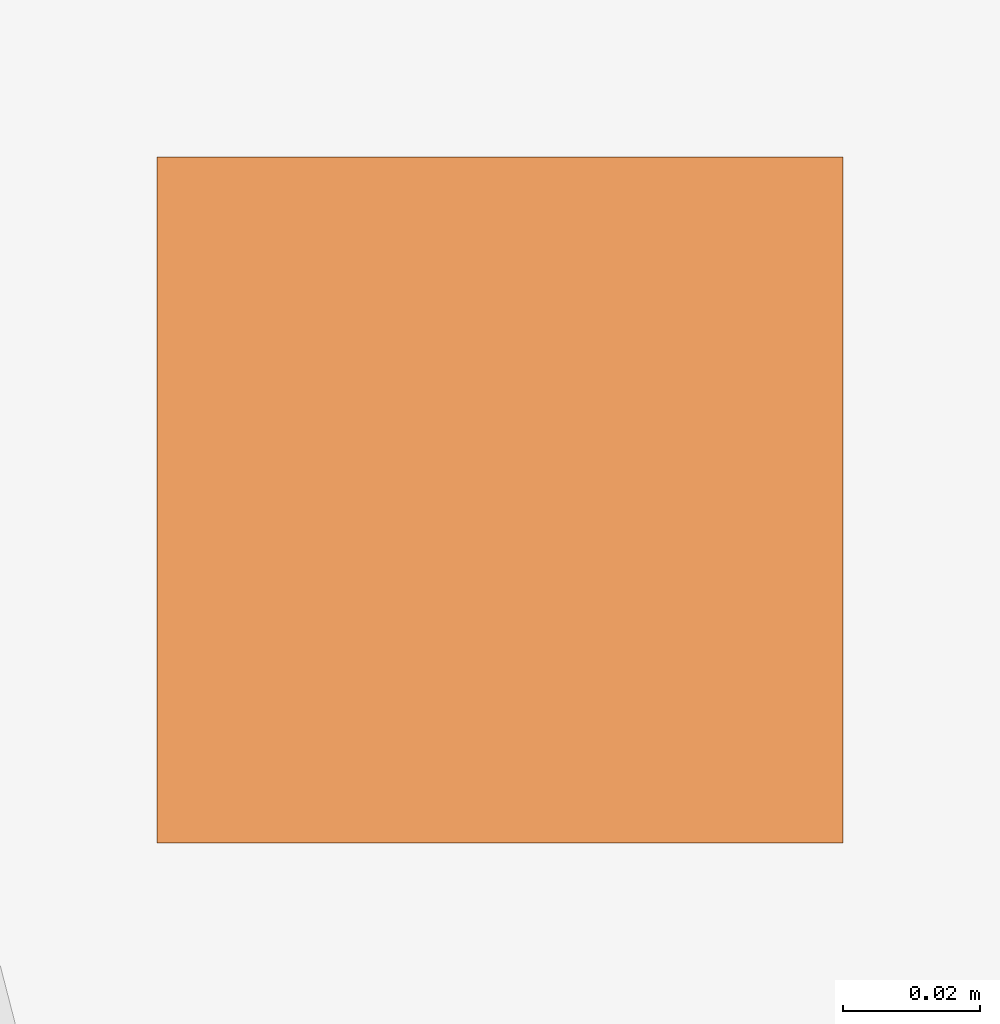
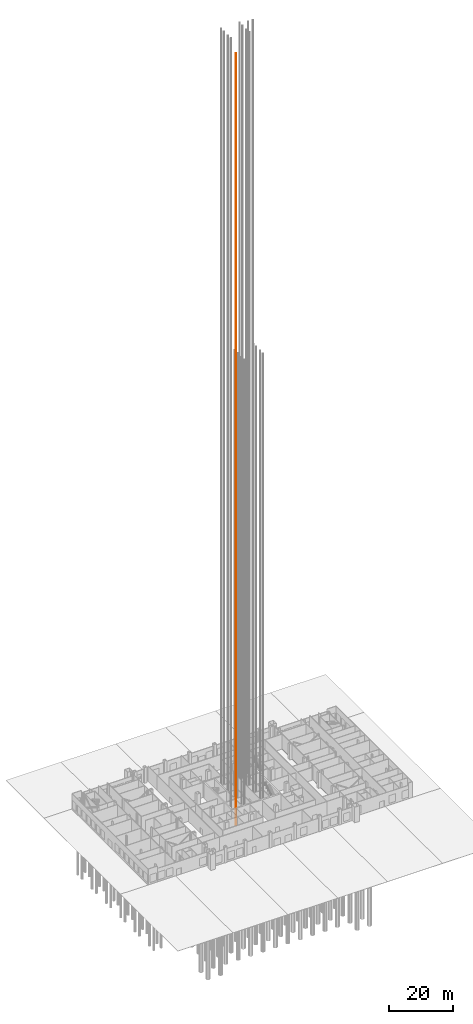
# One storey, part 18 of 36: 1 proxy.
"""IFC4 building model written with IfcOpenShell, lengths in metres."""

from ifc_helpers import new_model, si_unit, direction, frame, origin, origin_2d, place, context, subcontext, project, spatial, rectangle, extrude, material, type_object, element, save


model = new_model("IFC4")

# Units and contexts
model_context = context("Model", 3, precision=1e-05, world=origin(), true_north=direction((0.0, 1.0)))
body_context = subcontext(model_context, "Body", "Model", "MODEL_VIEW")
ifc_project = project(units=[si_unit("LENGTHUNIT", "METRE"), si_unit("AREAUNIT", "SQUARE_METRE"), si_unit("VOLUMEUNIT", "CUBIC_METRE"), si_unit("PLANEANGLEUNIT", "RADIAN"), si_unit("MASSUNIT", "GRAM", prefix="KILO")], contexts=[model_context])

# Site, building, storey
site_placement = place(None, origin())
site = spatial("IfcSite", under=ifc_project, at=site_placement, CompositionType="ELEMENT")
building_placement = place(site_placement, origin())
building = spatial("IfcBuilding", under=site, at=building_placement, Name="Malebo Sky Hospital", CompositionType="ELEMENT")
storey_placement = place(building_placement, origin())
storey = spatial("IfcBuildingStorey", under=building, at=storey_placement, Name="L00", CompositionType="ELEMENT", Elevation=0.0)

# Proxy
ifc_material = material(Name="Steel S355", Category="steel")
building_element_proxy_type = type_object("IfcBuildingElementProxyType", Name="LIFT GUIDE RAIL 100", PredefinedType="USERDEFINED", material=ifc_material)
proxy_placement = place(storey_placement, frame((54.050048828125, 55.5, 0.0)))
element("IfcBuildingElementProxy", 1, at=proxy_placement, inside=storey, type_object=building_element_proxy_type, Name="Lift FL1 guide rail 2", ObjectType="LIFT GUIDE RAIL", PredefinedType="USERDEFINED", context=body_context, shape_type="SweptSolid", body=[
    extrude(rectangle(XDim=0.10009765625, YDim=0.10009765625, at=origin_2d()), frame((0.0, 0.0, -2.25)), (0.0, 0.0, 1.0), 295.75),
])

save(model, "model.ifc")
